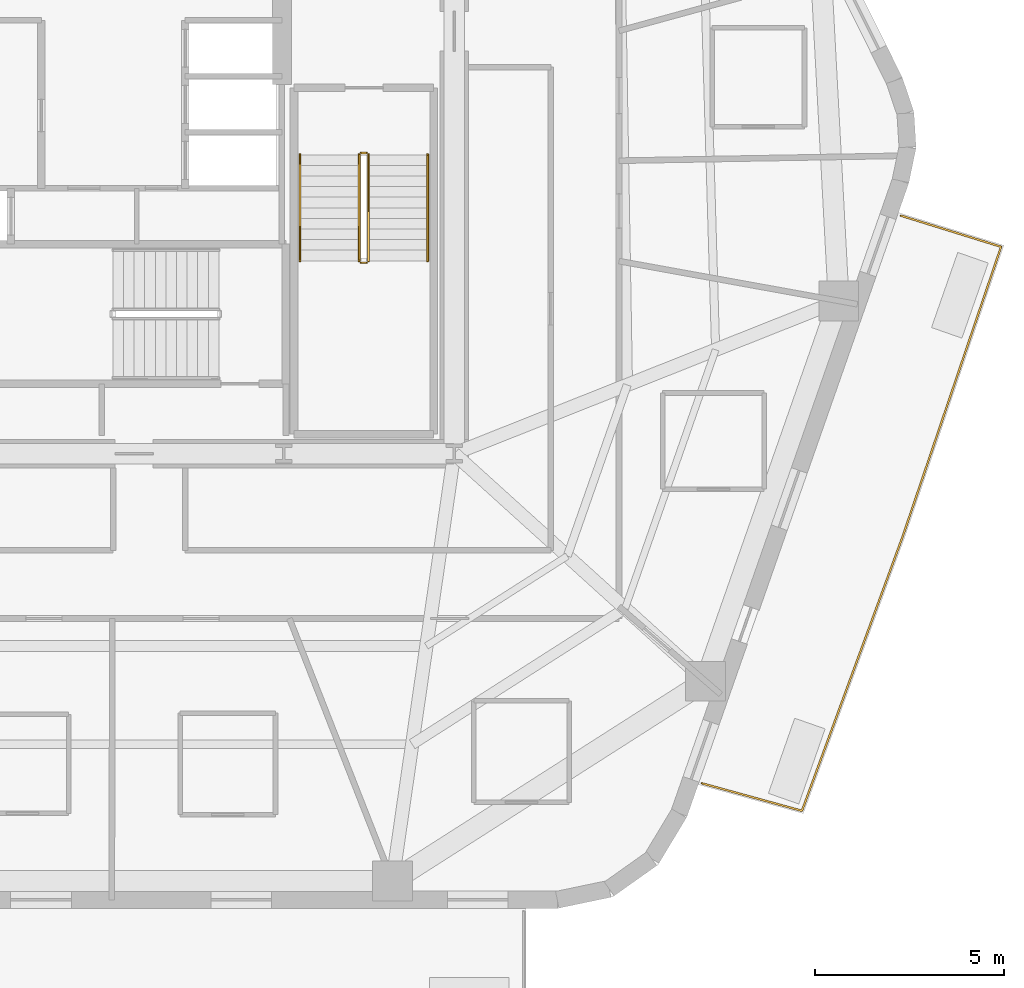
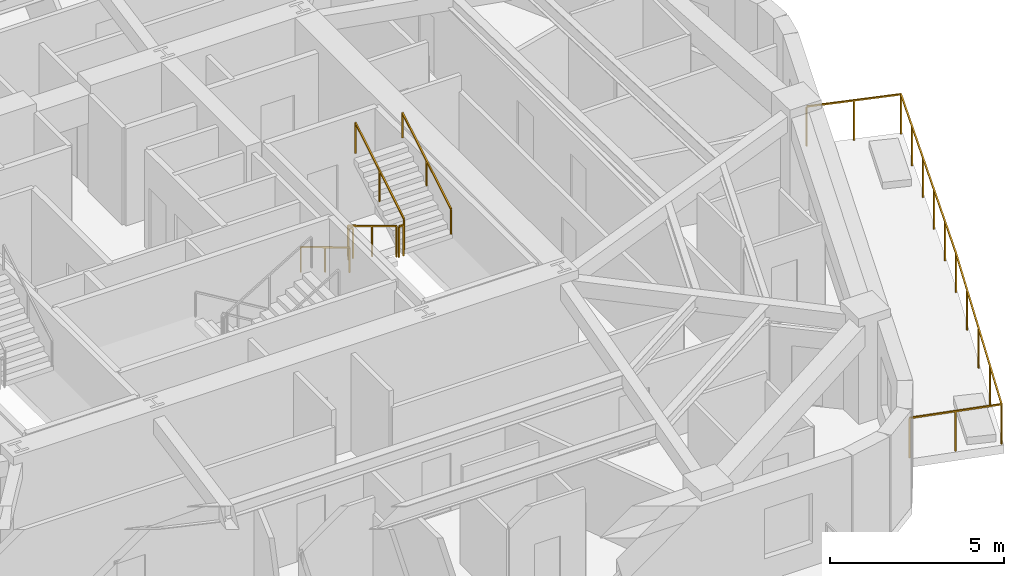
# One storey, part 10 of 11: 7 railings.
"""IFC4 building model written with IfcOpenShell, lengths in metres."""

from ifc_helpers import new_model, si_unit, direction, frame, origin, origin_2d, place, context, subcontext, project, spatial, rectangle, extrude, material, layer, layer_set, type_object, element, save


model = new_model("IFC4")

# Units and contexts
model_context = context("Model", 3, precision=1e-05, world=origin(), true_north=direction((0.0, 1.0)))
body_context = subcontext(model_context, "Body", "Model", "MODEL_VIEW")
ifc_project = project(units=[si_unit("LENGTHUNIT", "METRE"), si_unit("AREAUNIT", "SQUARE_METRE"), si_unit("VOLUMEUNIT", "CUBIC_METRE"), si_unit("PLANEANGLEUNIT", "RADIAN"), si_unit("MASSUNIT", "GRAM", prefix="KILO")], contexts=[model_context])

# Site, building, storey
site_placement = place(None, origin())
site = spatial("IfcSite", under=ifc_project, at=site_placement, CompositionType="ELEMENT")
building_placement = place(site_placement, origin())
building = spatial("IfcBuilding", under=site, at=building_placement, Name="Kilnhurst Terrace Hotel", CompositionType="ELEMENT")
storey_placement = place(building_placement, frame((0.0, 0.0, 194.10009765625)))
storey = spatial("IfcBuildingStorey", under=building, at=storey_placement, Name="L48", CompositionType="ELEMENT", Elevation=194.10009765625)

# Railings
ifc_material_1 = material(Name="Laminated SentryGlas and Stainless Steel AISI 316L Balustrade", Category="steel")
ifc_layer_1 = layer(ifc_material_1, 0.070068359375, Name="Laminated SentryGlas and Stainless Steel AISI 316L Balustrade")
ifc_layer_set_1 = layer_set([ifc_layer_1], Name="Laminated SentryGlas and Stainless Steel AISI 316L Balustrade")
railing_type_1 = type_object("IfcRailingType", Name="RLG-BAL-1420", PredefinedType="BALUSTRADE", material=ifc_layer_set_1)
railing_1_placement = place(storey_placement, frame((20.783935546875, -1.215087890625, 0.0)))
element("IfcRailing", 1, at=railing_1_placement, inside=storey, type_object=railing_type_1, Name="L48 Exterior Terrace Guardrail BAL-L1B.1", PredefinedType="BALUSTRADE", context=body_context, shape_type="SweptSolid", body=[
    extrude(rectangle(XDim=0.048095703125, YDim=0.048095703125, at=origin_2d()), frame((0.0, 0.0, 1.39599609375), z_axis=(0.954948187333, -0.29677257203, 0.0), x_axis=(0.29677257203, 0.954948187333, 0.0)), (0.0, 0.0, 1.0), 2.7763671875),
    extrude(rectangle(XDim=0.048095703125, YDim=0.048095703125, at=origin_2d()), frame((2.6513671875, -0.823974609375, 1.39599609375), z_axis=(-0.321641701575, -0.946861455445, 0.0), x_axis=(0.946861455445, -0.321641701575, 0.0)), (0.0, 0.0, 1.0), 8.082275390625),
    extrude(rectangle(XDim=0.048095703125, YDim=0.048095703125, at=origin_2d()), frame((0.0517578125, -8.476806640625, 1.39599609375), z_axis=(-0.344704120874, -0.938711387516, 0.0), x_axis=(0.938711387516, -0.344704120874, 0.0)), (0.0, 0.0, 1.0), 7.7080078125),
    extrude(rectangle(XDim=0.048095703125, YDim=0.048095703125, at=origin_2d()), frame((-2.605224609375, -15.71240234375, 1.39599609375), z_axis=(-0.964239560757, 0.265032204593, 0.0), x_axis=(-0.265032204593, -0.964239560757, 0.0)), (0.0, 0.0, 1.0), 2.739501953125),
    extrude(rectangle(XDim=0.0419921875, YDim=0.0419921875, at=origin_2d()), origin(), (0.0, 0.0, 1.0), 1.371826171875),
    extrude(rectangle(XDim=0.0419921875, YDim=0.0419921875, at=origin_2d()), frame((1.32568359375, -0.412109375, 0.0)), (0.0, 0.0, 1.0), 1.371826171875),
    extrude(rectangle(XDim=0.0419921875, YDim=0.0419921875, at=origin_2d()), frame((2.6513671875, -0.823974609375, 0.0)), (0.0, 0.0, 1.0), 1.371826171875),
    extrude(rectangle(XDim=0.0419921875, YDim=0.0419921875, at=origin_2d()), frame((2.13134765625, -2.3544921875, 0.0)), (0.0, 0.0, 1.0), 1.371826171875),
    extrude(rectangle(XDim=0.0419921875, YDim=0.0419921875, at=origin_2d()), frame((1.611572265625, -3.885009765625, 0.0)), (0.0, 0.0, 1.0), 1.371826171875),
    extrude(rectangle(XDim=0.0419921875, YDim=0.0419921875, at=origin_2d()), frame((1.091552734375, -5.415771484375, 0.0)), (0.0, 0.0, 1.0), 1.371826171875),
    extrude(rectangle(XDim=0.0419921875, YDim=0.0419921875, at=origin_2d()), frame((0.57177734375, -6.9462890625, 0.0)), (0.0, 0.0, 1.0), 1.371826171875),
    extrude(rectangle(XDim=0.0419921875, YDim=0.0419921875, at=origin_2d()), frame((0.0517578125, -8.476806640625, 0.0)), (0.0, 0.0, 1.0), 1.371826171875),
    extrude(rectangle(XDim=0.0419921875, YDim=0.0419921875, at=origin_2d()), frame((-0.612548828125, -10.28564453125, 0.0)), (0.0, 0.0, 1.0), 1.371826171875),
    extrude(rectangle(XDim=0.0419921875, YDim=0.0419921875, at=origin_2d()), frame((-1.27685546875, -12.0947265625, 0.0)), (0.0, 0.0, 1.0), 1.371826171875),
    extrude(rectangle(XDim=0.0419921875, YDim=0.0419921875, at=origin_2d()), frame((-1.94091796875, -13.903564453125, 0.0)), (0.0, 0.0, 1.0), 1.371826171875),
    extrude(rectangle(XDim=0.0419921875, YDim=0.0419921875, at=origin_2d()), frame((-2.605224609375, -15.71240234375, 0.0)), (0.0, 0.0, 1.0), 1.371826171875),
    extrude(rectangle(XDim=0.0419921875, YDim=0.0419921875, at=origin_2d()), frame((-3.926025390625, -15.349365234375, 0.0)), (0.0, 0.0, 1.0), 1.371826171875),
    extrude(rectangle(XDim=0.0419921875, YDim=0.0419921875, at=origin_2d()), frame((-5.246826171875, -14.986328125, 0.0)), (0.0, 0.0, 1.0), 1.371826171875),
])
ifc_material_2 = material(Name="Powder-Coated Steel ASTM A500 Grade B", Category="steel")
ifc_layer_2 = layer(ifc_material_2, 0.050048828125, Name="Powder-Coated Steel ASTM A500 Grade B")
ifc_layer_set_2 = layer_set([ifc_layer_2], Name="Powder-Coated Steel ASTM A500 Grade B")
railing_type_2 = type_object("IfcRailingType", Name="RLG-ST-GRD-1100", PredefinedType="GUARDRAIL", material=ifc_layer_set_2)
railing_2_placement = place(storey_placement, frame((6.489990234375, 0.389892578125, 0.16796875)))
element("IfcRailing", 2, at=railing_2_placement, inside=storey, type_object=railing_type_2, Name="L48 ST-2 stair guard 1", PredefinedType="GUARDRAIL", context=body_context, shape_type="SweptSolid", body=[
    extrude(rectangle(XDim=0.048095703125, YDim=0.048095703125, at=origin_2d()), frame((0.0, 0.0, 1.076171875), z_axis=(0.0, -0.857222391501, 0.514946377315), x_axis=(1.0, 0.0, 0.0)), (0.0, 0.0, 1.0), 3.26611328125),
    extrude(rectangle(XDim=0.0419921875, YDim=0.0419921875, at=origin_2d()), origin(), (0.0, 0.0, 1.0), 1.052001953125),
    extrude(rectangle(XDim=0.0419921875, YDim=0.0419921875, at=origin_2d()), frame((0.0, -1.39990234375, 0.8408203125)), (0.0, 0.0, 1.0), 1.052001953125),
    extrude(rectangle(XDim=0.0419921875, YDim=0.0419921875, at=origin_2d()), frame((0.0, -2.7998046875, 1.681884765625)), (0.0, 0.0, 1.0), 1.052001953125),
])
railing_3_placement = place(storey_placement, frame((6.5400390625, -2.4599609375, 1.849853515625)))
element("IfcRailing", 3, at=railing_3_placement, inside=storey, type_object=railing_type_2, Name="L48 ST-2 stair guard 2", PredefinedType="GUARDRAIL", context=body_context, shape_type="SweptSolid", body=[
    extrude(rectangle(XDim=0.048095703125, YDim=0.048095703125, at=origin_2d()), frame((0.0, 0.0, 1.076171875), z_axis=(1.0, 0.0, 0.0), x_axis=(0.0, 1.0, 0.0)), (0.0, 0.0, 1.0), 0.14990234375),
    extrude(rectangle(XDim=0.0419921875, YDim=0.0419921875, at=origin_2d()), origin(), (0.0, 0.0, 1.0), 1.052001953125),
    extrude(rectangle(XDim=0.0419921875, YDim=0.0419921875, at=origin_2d()), frame((0.14990234375, 0.0, 0.0)), (0.0, 0.0, 1.0), 1.052001953125),
])
railing_4_placement = place(storey_placement, frame((6.739990234375, -2.409912109375, 2.01806640625)))
element("IfcRailing", 4, at=railing_4_placement, inside=storey, type_object=railing_type_2, Name="L48 ST-2 stair guard 3", PredefinedType="GUARDRAIL", context=body_context, shape_type="SweptSolid", body=[
    extrude(rectangle(XDim=0.048095703125, YDim=0.048095703125, at=origin_2d()), frame((0.0, 0.0, 1.076171875), z_axis=(0.0, 0.857222391501, 0.514946377315), x_axis=(-1.0, 0.0, 0.0)), (0.0, 0.0, 1.0), 3.26611328125),
    extrude(rectangle(XDim=0.0419921875, YDim=0.0419921875, at=origin_2d()), origin(), (0.0, 0.0, 1.0), 1.052001953125),
    extrude(rectangle(XDim=0.0419921875, YDim=0.0419921875, at=origin_2d()), frame((0.0, 1.39990234375, 0.8408203125)), (0.0, 0.0, 1.0), 1.052001953125),
    extrude(rectangle(XDim=0.0419921875, YDim=0.0419921875, at=origin_2d()), frame((0.0, 2.7998046875, 1.681884765625)), (0.0, 0.0, 1.0), 1.052001953125),
])
railing_5_placement = place(storey_placement, frame((6.5400390625, 0.43994140625, 0.0)))
element("IfcRailing", 5, at=railing_5_placement, inside=storey, type_object=railing_type_2, Name="L48 ST-2 stair guard 4", PredefinedType="GUARDRAIL", context=body_context, shape_type="SweptSolid", body=[
    extrude(rectangle(XDim=0.048095703125, YDim=0.048095703125, at=origin_2d()), frame((0.0, 0.0, 1.076171875), z_axis=(1.0, 0.0, 0.0), x_axis=(0.0, 1.0, 0.0)), (0.0, 0.0, 1.0), 0.14990234375),
    extrude(rectangle(XDim=0.0419921875, YDim=0.0419921875, at=origin_2d()), origin(), (0.0, 0.0, 1.0), 1.052001953125),
    extrude(rectangle(XDim=0.0419921875, YDim=0.0419921875, at=origin_2d()), frame((0.14990234375, 0.0, 0.0)), (0.0, 0.0, 1.0), 1.052001953125),
])
ifc_material_3 = material(Name="Brushed Stainless Steel AISI 304", Category="steel")
ifc_layer_3 = layer(ifc_material_3, 0.048095703125, Name="Brushed Stainless Steel AISI 304")
ifc_layer_set_3 = layer_set([ifc_layer_3], Name="Brushed Stainless Steel AISI 304")
railing_type_3 = type_object("IfcRailingType", Name="RLG-ST-HRL-900", PredefinedType="HANDRAIL", material=ifc_layer_set_3)
railing_6_placement = place(storey_placement, frame((4.929931640625, 0.389892578125, 0.16796875)))
element("IfcRailing", 6, at=railing_6_placement, inside=storey, type_object=railing_type_3, Name="L48 ST-2 stair handrail 1", PredefinedType="HANDRAIL", context=body_context, shape_type="SweptSolid", body=[
    extrude(rectangle(XDim=0.048095703125, YDim=0.048095703125, at=origin_2d()), frame((0.0, 0.0, 0.8759765625), z_axis=(0.0, -0.857222391501, 0.514946377315), x_axis=(1.0, 0.0, 0.0)), (0.0, 0.0, 1.0), 3.26611328125),
    extrude(rectangle(XDim=0.0419921875, YDim=0.0419921875, at=origin_2d()), origin(), (0.0, 0.0, 1.0), 0.851806640625),
    extrude(rectangle(XDim=0.0419921875, YDim=0.0419921875, at=origin_2d()), frame((0.0, -1.39990234375, 0.8408203125)), (0.0, 0.0, 1.0), 0.851806640625),
    extrude(rectangle(XDim=0.0419921875, YDim=0.0419921875, at=origin_2d()), frame((0.0, -2.7998046875, 1.681884765625)), (0.0, 0.0, 1.0), 0.851806640625),
])
railing_7_placement = place(storey_placement, frame((8.300048828125, -2.409912109375, 2.01806640625)))
element("IfcRailing", 7, at=railing_7_placement, inside=storey, type_object=railing_type_3, Name="L48 ST-2 stair handrail 2", PredefinedType="HANDRAIL", context=body_context, shape_type="SweptSolid", body=[
    extrude(rectangle(XDim=0.048095703125, YDim=0.048095703125, at=origin_2d()), frame((0.0, 0.0, 0.8759765625), z_axis=(0.0, 0.857222391501, 0.514946377315), x_axis=(-1.0, 0.0, 0.0)), (0.0, 0.0, 1.0), 3.26611328125),
    extrude(rectangle(XDim=0.0419921875, YDim=0.0419921875, at=origin_2d()), origin(), (0.0, 0.0, 1.0), 0.851806640625),
    extrude(rectangle(XDim=0.0419921875, YDim=0.0419921875, at=origin_2d()), frame((0.0, 1.39990234375, 0.8408203125)), (0.0, 0.0, 1.0), 0.851806640625),
    extrude(rectangle(XDim=0.0419921875, YDim=0.0419921875, at=origin_2d()), frame((0.0, 2.7998046875, 1.681884765625)), (0.0, 0.0, 1.0), 0.851806640625),
])

save(model, "model.ifc")
